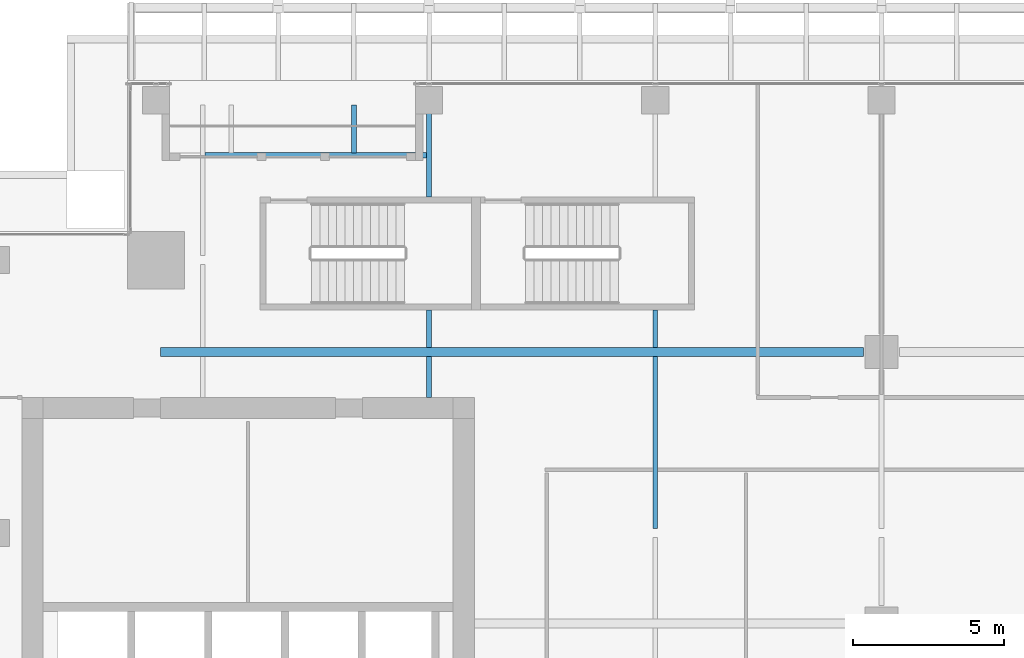
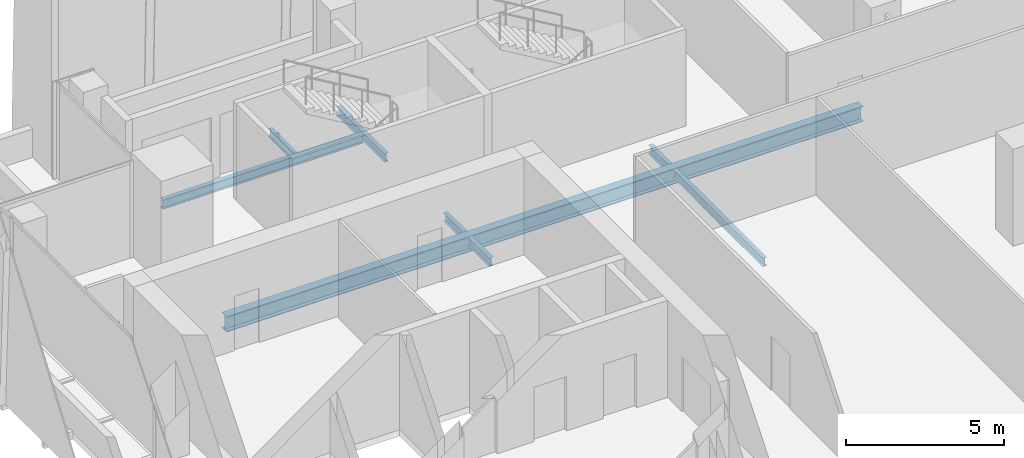
# One storey, part 15 of 33: 8 beams.
"""IFC4 building model written with IfcOpenShell, lengths in metres."""

from ifc_helpers import new_model, si_unit, direction, frame, origin, origin_2d, place, context, subcontext, project, spatial, i_section, extrude, source, transform, mapped, material, material_profile, profile_set, type_object, element, save


model = new_model("IFC4")

# Units and contexts
model_context = context("Model", 3, precision=1e-05, world=origin(), true_north=direction((0.0, 1.0)))
body_context = subcontext(model_context, "Body", "Model", "MODEL_VIEW")
ifc_project = project(units=[si_unit("LENGTHUNIT", "METRE"), si_unit("AREAUNIT", "SQUARE_METRE"), si_unit("VOLUMEUNIT", "CUBIC_METRE"), si_unit("PLANEANGLEUNIT", "RADIAN"), si_unit("MASSUNIT", "GRAM", prefix="KILO")], contexts=[model_context])

# Site, building, storey
site_placement = place(None, origin())
site = spatial("IfcSite", under=ifc_project, at=site_placement, CompositionType="ELEMENT")
building_placement = place(site_placement, origin())
building = spatial("IfcBuilding", under=site, at=building_placement, Name="Khomas Fold Tower", CompositionType="ELEMENT")
storey_placement = place(building_placement, frame((0.0, 0.0, 222.199951171875)))
storey = spatial("IfcBuildingStorey", under=building, at=storey_placement, Name="L49", CompositionType="ELEMENT", Elevation=222.199951171875)

# Beams
ifc_material_1 = material(Name="Steel S355", Category="steel")
ifc_material_profile_1 = material_profile(ifc_material_1, i_section(OverallWidth=0.159912109375, OverallDepth=0.330078125, WebThickness=0.007568359375, FlangeThickness=0.011474609375, at=origin_2d()), Name="IPE 330")
ifc_profile_set_1 = profile_set([ifc_material_profile_1], Name="Steel S355")
beam_type_1 = type_object("IfcBeamType", Name="IPE 330 beam JB1", PredefinedType="BEAM", material=ifc_profile_set_1)
shared_shape_1 = source(origin(), body_context, "Body", "SweptSolid", [
    extrude(i_section(OverallWidth=0.159912109375, OverallDepth=0.330078125, WebThickness=0.007568359375, FlangeThickness=0.011474609375, at=origin_2d()), origin(), (0.0, 0.0, 1.0), 1.25),
])
for number, where, z_axis, x_axis, name in (
    (1, (19.5, 40.64990234375, -0.4150390625), (0.0, 1.0, 0.0), (-1.0, 0.0, 0.0), "JB1"),
    (2, (27.0, 40.64990234375, -0.4150390625), (0.0, 1.0, 0.0), (-1.0, 0.0, 0.0), "JB1"),
):
    element("IfcBeam", number, at=place(storey_placement, frame(where, z_axis=z_axis, x_axis=x_axis)), inside=storey, type_object=beam_type_1, Name=name, PredefinedType="BEAM", context=body_context, shape_type="MappedRepresentation", body=[
        mapped(shared_shape_1, transform((0.0, 0.0, 0.0))),
    ])
shared_shape_2 = source(origin(), body_context, "Body", "SweptSolid", [
    extrude(i_section(OverallWidth=0.159912109375, OverallDepth=0.330078125, WebThickness=0.007568359375, FlangeThickness=0.011474609375, at=origin_2d()), origin(), (0.0, 0.0, 1.0), 1.35009765625),
])
beam_1_placement = place(storey_placement, frame((19.5, 39.0, -0.4150390625), z_axis=(0.0, 1.0, 0.0), x_axis=(-1.0, 0.0, 0.0)))
element("IfcBeam", 3, at=beam_1_placement, inside=storey, type_object=beam_type_1, Name="JB1", PredefinedType="BEAM", context=body_context, shape_type="MappedRepresentation", body=[
    mapped(shared_shape_2, transform((0.0, 0.0, 0.0))),
])
ifc_material_2 = material(Name="Steel S355", Category="steel")
ifc_material_profile_2 = material_profile(ifc_material_2, i_section(OverallWidth=0.300048828125, OverallDepth=0.60009765625, WebThickness=0.015380859375, FlangeThickness=0.030029296875, at=origin_2d()), Name="HE 600 B")
ifc_profile_set_2 = profile_set([ifc_material_profile_2], Name="Steel S355")
beam_type_2 = type_object("IfcBeamType", Name="HE 600 B beam GB5", PredefinedType="BEAM", material=ifc_profile_set_2)
shared_shape_3 = source(origin(), body_context, "Body", "SweptSolid", [
    extrude(i_section(OverallWidth=0.300048828125, OverallDepth=0.60009765625, WebThickness=0.015380859375, FlangeThickness=0.030029296875, at=origin_2d()), origin(), (0.0, 0.0, 1.0), 23.2998046875),
])
beam_2_placement = place(storey_placement, frame((10.60009765625, 40.5, -0.550048828125), z_axis=(1.0, 0.0, 0.0), x_axis=(0.0, 1.0, 0.0)))
element("IfcBeam", 4, at=beam_2_placement, inside=storey, type_object=beam_type_2, Name="GB5", PredefinedType="BEAM", context=body_context, shape_type="MappedRepresentation", body=[
    mapped(shared_shape_3, transform((0.0, 0.0, 0.0))),
])
shared_shape_4 = source(origin(), body_context, "Body", "SweptSolid", [
    extrude(i_section(OverallWidth=0.159912109375, OverallDepth=0.330078125, WebThickness=0.007568359375, FlangeThickness=0.011474609375, at=origin_2d()), origin(), (0.0, 0.0, 1.0), 3.025146484375),
])
beam_3_placement = place(storey_placement, frame((19.5, 45.64990234375, -0.4150390625), z_axis=(0.0, 1.0, 0.0), x_axis=(-1.0, 0.0, 0.0)))
element("IfcBeam", 5, at=beam_3_placement, inside=storey, type_object=beam_type_1, Name="JB1", PredefinedType="BEAM", context=body_context, shape_type="MappedRepresentation", body=[
    mapped(shared_shape_4, transform((0.0, 0.0, 0.0))),
])
shared_shape_5 = source(origin(), body_context, "Body", "SweptSolid", [
    extrude(i_section(OverallWidth=0.159912109375, OverallDepth=0.330078125, WebThickness=0.007568359375, FlangeThickness=0.011474609375, at=origin_2d()), origin(), (0.0, 0.0, 1.0), 5.69921875),
])
beam_4_placement = place(storey_placement, frame((27.0, 34.65087890625, -0.4150390625), z_axis=(0.0, 1.0, 0.0), x_axis=(-1.0, 0.0, 0.0)))
element("IfcBeam", 6, at=beam_4_placement, inside=storey, type_object=beam_type_1, Name="JB1", PredefinedType="BEAM", context=body_context, shape_type="MappedRepresentation", body=[
    mapped(shared_shape_5, transform((0.0, 0.0, 0.0))),
])
ifc_material_3 = material(Name="Steel S355", Category="steel")
ifc_material_profile_3 = material_profile(ifc_material_3, i_section(OverallWidth=0.169921875, OverallDepth=0.360107421875, WebThickness=0.008056640625, FlangeThickness=0.0126953125, at=origin_2d()), Name="IPE 360")
ifc_profile_set_3 = profile_set([ifc_material_profile_3], Name="Steel S355")
beam_type_3 = type_object("IfcBeamType", Name="IPE 360 beam BB4", PredefinedType="BEAM", material=ifc_profile_set_3)
shared_shape_6 = source(origin(), body_context, "Body", "SweptSolid", [
    extrude(i_section(OverallWidth=0.169921875, OverallDepth=0.360107421875, WebThickness=0.008056640625, FlangeThickness=0.0126953125, at=origin_2d()), origin(), (0.0, 0.0, 1.0), 7.33984375),
])
beam_5_placement = place(storey_placement, frame((12.080078125, 47.02490234375, -0.429931640625), z_axis=(1.0, 0.0, 0.0), x_axis=(0.0, 1.0, 0.0)))
element("IfcBeam", 7, at=beam_5_placement, inside=storey, type_object=beam_type_3, Name="BB4", PredefinedType="BEAM", context=body_context, shape_type="MappedRepresentation", body=[
    mapped(shared_shape_6, transform((0.0, 0.0, 0.0))),
])
ifc_material_4 = material(Name="Steel S355", Category="steel")
ifc_material_profile_4 = material_profile(ifc_material_4, i_section(OverallWidth=0.14990234375, OverallDepth=0.300048828125, WebThickness=0.007080078125, FlangeThickness=0.0107421875, at=origin_2d()), Name="IPE 300")
ifc_profile_set_4 = profile_set([ifc_material_profile_4], Name="Steel S355")
beam_type_4 = type_object("IfcBeamType", Name="IPE 300 beam BB2", PredefinedType="BEAM", material=ifc_profile_set_4)
shared_shape_7 = source(origin(), body_context, "Body", "SweptSolid", [
    extrude(i_section(OverallWidth=0.14990234375, OverallDepth=0.300048828125, WebThickness=0.007080078125, FlangeThickness=0.0107421875, at=origin_2d()), origin(), (0.0, 0.0, 1.0), 1.599853515625),
])
beam_6_placement = place(storey_placement, frame((17.012451171875, 47.10009765625, -0.39990234375), z_axis=(0.0, 1.0, 0.0), x_axis=(-1.0, 0.0, 0.0)))
element("IfcBeam", 8, at=beam_6_placement, inside=storey, type_object=beam_type_4, Name="BB2", PredefinedType="BEAM", context=body_context, shape_type="MappedRepresentation", body=[
    mapped(shared_shape_7, transform((0.0, 0.0, 0.0))),
])

save(model, "model.ifc")
